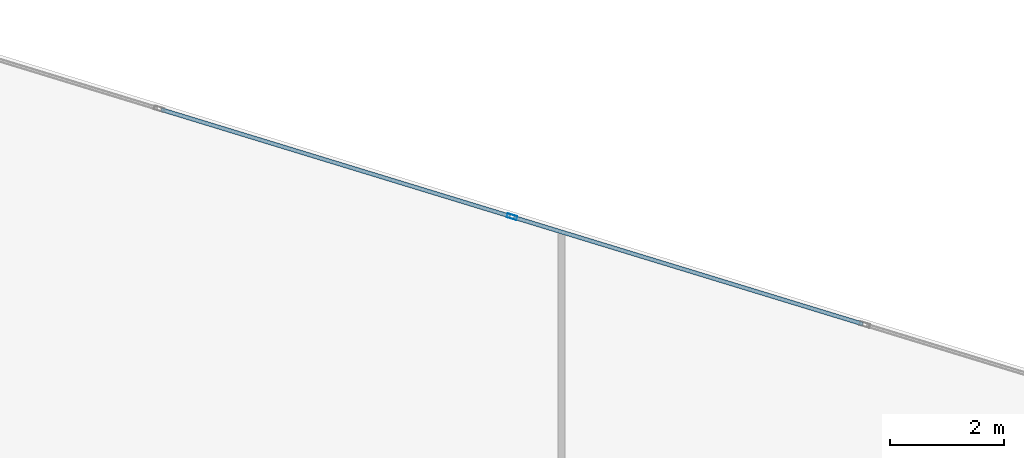
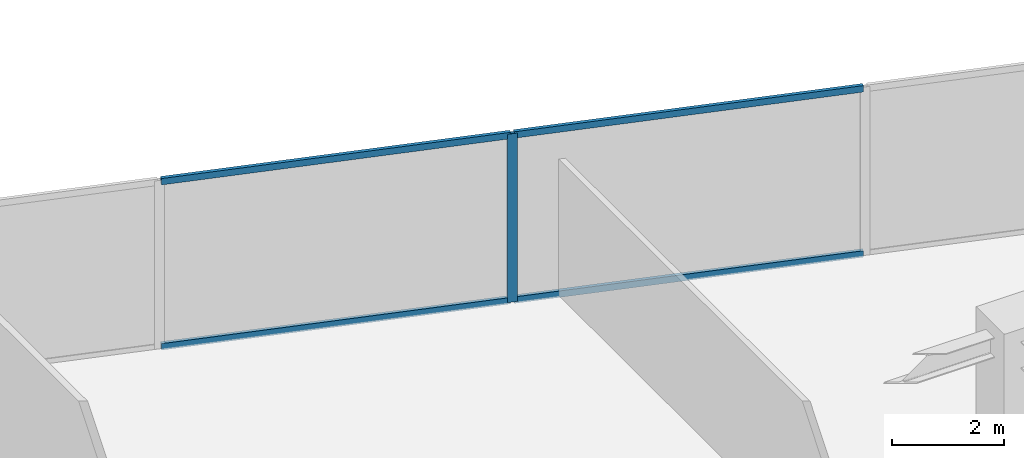
# One storey, part 17 of 26: 5 members, 1 element without a shape of its own.
"""IFC4 building model written with IfcOpenShell, lengths in metres."""

from ifc_helpers import new_model, si_unit, direction, frame, origin, origin_2d, place, context, subcontext, project, spatial, hollow_rectangle, extrude, source, transform, mapped, material, material_profile, profile_set, type_object, type_shapes, element, aggregate, save


model = new_model("IFC4")

# Units and contexts
model_context = context("Model", 3, precision=1e-05, world=origin(), true_north=direction((0.0, 1.0)))
body_context = subcontext(model_context, "Body", "Model", "MODEL_VIEW")
ifc_project = project(units=[si_unit("LENGTHUNIT", "METRE"), si_unit("AREAUNIT", "SQUARE_METRE"), si_unit("VOLUMEUNIT", "CUBIC_METRE"), si_unit("PLANEANGLEUNIT", "RADIAN"), si_unit("MASSUNIT", "GRAM", prefix="KILO")], contexts=[model_context])

# Site, building, storey
site_placement = place(None, origin())
site = spatial("IfcSite", under=ifc_project, at=site_placement, CompositionType="ELEMENT")
building_placement = place(site_placement, origin())
building = spatial("IfcBuilding", under=site, at=building_placement, Name="Krantzveldt Concourse Tower", CompositionType="ELEMENT")
storey_placement = place(building_placement, frame((0.0, 0.0, 113.75)))
storey = spatial("IfcBuildingStorey", under=building, at=storey_placement, Name="L27", CompositionType="ELEMENT", Elevation=113.75)

# Curtain wall, members
ifc_material = material(Name="Anodised aluminium 6063-T6", Category="aluminium")
curtain_wall_type = type_object("IfcCurtainWallType", Name="CW2", PredefinedType="USERDEFINED", material=ifc_material)
curtain_wall_placement = place(storey_placement, origin())
curtain_wall = element("IfcCurtainWall", 1, at=curtain_wall_placement, inside=storey, type_object=curtain_wall_type, Name="CW-L27-F10", ObjectType="UNITISED CURTAIN WALL", PredefinedType="USERDEFINED")
ifc_material_profile_1 = material_profile(ifc_material, hollow_rectangle(XDim=0.070068359375, YDim=0.179931640625, WallThickness=0.0048828125, at=origin_2d()), Name="Anodised aluminium 6063-T6", Category="aluminium")
ifc_profile_set_1 = profile_set([ifc_material_profile_1], Name="Anodised aluminium 6063-T6 - ALU-MULL 180x70x5")
member_type_1 = type_object("IfcMemberType", Name="CW-MUL-180", PredefinedType="MULLION", material=ifc_profile_set_1)
shared_shape_1 = source(origin(), body_context, "Body", "SweptSolid", [
    extrude(hollow_rectangle(XDim=0.070068359375, YDim=0.179931640625, WallThickness=0.0048828125, at=origin_2d()), origin(), (0.0, 0.0, 1.0), 3.669921875),
])
type_shapes(member_type_1, [shared_shape_1])
member_1_placement = place(storey_placement, frame((36.631103515625, 50.882080078125, 0.0), z_axis=(0.0, 0.0, 1.0), x_axis=(-0.292371686864, -0.956304761423, 0.0)))
member_1 = element("IfcMember", 2, at=member_1_placement, type_object=member_type_1, Name="CW-Z12 mullion 5", PredefinedType="MULLION", context=body_context, shape_type="MappedRepresentation", body=[
    mapped(shared_shape_1, transform((0.0, 0.0, 0.0), x_axis=(1.0, 0.0, 0.0), y_axis=(0.0, 1.0, 0.0), z_axis=(0.0, 0.0, 1.0), scale=1.0)),
])
ifc_material_profile_2 = material_profile(ifc_material, hollow_rectangle(XDim=0.070068359375, YDim=0.139892578125, WallThickness=0.0048828125, at=origin_2d()), Name="Anodised aluminium 6063-T6", Category="aluminium")
ifc_profile_set_2 = profile_set([ifc_material_profile_2], Name="Anodised aluminium 6063-T6 - ALU-TRAN 140x70x5")
member_type_2 = type_object("IfcMemberType", Name="CW-TRN-150", PredefinedType="USERDEFINED", material=ifc_profile_set_2)
shared_shape_2 = source(origin(), body_context, "Body", "SweptSolid", [
    extrude(hollow_rectangle(XDim=0.070068359375, YDim=0.139892578125, WallThickness=0.0048828125, at=origin_2d()), origin(), (0.0, 0.0, 1.0), 6.396728515625),
])
type_shapes(member_type_2, [shared_shape_2])
member_2_placement = place(storey_placement, frame((42.78173828125, 49.001708984375, 0.034912109375), z_axis=(-0.956308895855, 0.292358163404, 0.0), x_axis=(-0.292358163404, -0.956308895855, 0.0)))
member_2 = element("IfcMember", 3, at=member_2_placement, type_object=member_type_2, Name="CW-Z12 transom 4.1", ObjectType="TRANSOM", PredefinedType="USERDEFINED", context=body_context, shape_type="MappedRepresentation", body=[
    mapped(shared_shape_2, transform((0.0, 0.0, 0.0), x_axis=(1.0, 0.0, 0.0), y_axis=(0.0, 1.0, 0.0), z_axis=(0.0, 0.0, 1.0), scale=1.0)),
])
member_3_placement = place(storey_placement, frame((42.78173828125, 49.001708984375, 3.635009765625), z_axis=(-0.956308895855, 0.292358163404, 0.0), x_axis=(-0.292358163404, -0.956308895855, 0.0)))
member_3 = element("IfcMember", 4, at=member_3_placement, type_object=member_type_2, Name="CW-Z12 transom 4.2", ObjectType="TRANSOM", PredefinedType="USERDEFINED", context=body_context, shape_type="MappedRepresentation", body=[
    mapped(shared_shape_2, transform((0.0, 0.0, 0.0), x_axis=(1.0, 0.0, 0.0), y_axis=(0.0, 1.0, 0.0), z_axis=(0.0, 0.0, 1.0), scale=1.0)),
])
member_4_placement = place(storey_placement, frame((36.59765625, 50.892333984375, 0.034912109375), z_axis=(-0.956308895855, 0.292358163404, 0.0), x_axis=(-0.292358163404, -0.956308895855, 0.0)))
member_4 = element("IfcMember", 5, at=member_4_placement, type_object=member_type_2, Name="CW-Z12 transom 5.1", ObjectType="TRANSOM", PredefinedType="USERDEFINED", context=body_context, shape_type="MappedRepresentation", body=[
    mapped(shared_shape_2, transform((0.0, 0.0, 0.0), x_axis=(1.0, 0.0, 0.0), y_axis=(0.0, 1.0, 0.0), z_axis=(0.0, 0.0, 1.0), scale=1.0)),
])
member_5_placement = place(storey_placement, frame((36.59765625, 50.892333984375, 3.635009765625), z_axis=(-0.956308895855, 0.292358163404, 0.0), x_axis=(-0.292358163404, -0.956308895855, 0.0)))
member_5 = element("IfcMember", 6, at=member_5_placement, type_object=member_type_2, Name="CW-Z12 transom 5.2", ObjectType="TRANSOM", PredefinedType="USERDEFINED", context=body_context, shape_type="MappedRepresentation", body=[
    mapped(shared_shape_2, transform((0.0, 0.0, 0.0), x_axis=(1.0, 0.0, 0.0), y_axis=(0.0, 1.0, 0.0), z_axis=(0.0, 0.0, 1.0), scale=1.0)),
])
aggregate(curtain_wall, [member_1, member_2, member_3, member_4, member_5])

save(model, "model.ifc")
